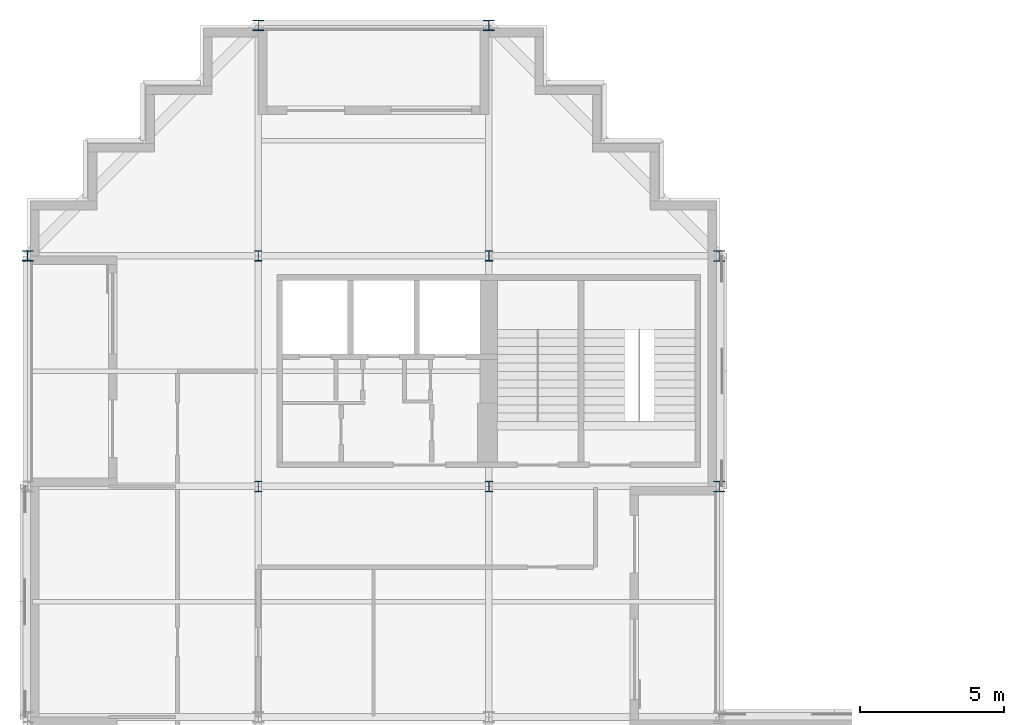
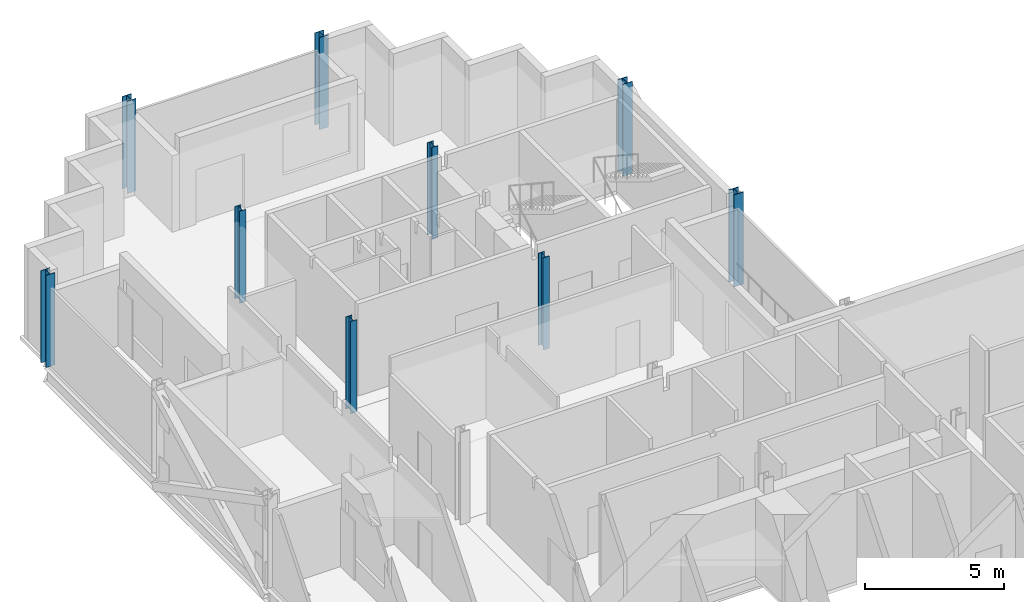
# One storey, part 2 of 10: 9 columns.
"""IFC4 building model written with IfcOpenShell, lengths in metres."""

from ifc_helpers import new_model, si_unit, direction, frame, origin, origin_2d, place, context, subcontext, project, spatial, i_section, extrude, material, material_profile, profile_set, type_object, element, save


model = new_model("IFC4")

# Units and contexts
model_context = context("Model", 3, precision=1e-05, world=origin(), true_north=direction((0.0, 1.0)))
body_context = subcontext(model_context, "Body", "Model", "MODEL_VIEW")
ifc_project = project(units=[si_unit("LENGTHUNIT", "METRE"), si_unit("AREAUNIT", "SQUARE_METRE"), si_unit("VOLUMEUNIT", "CUBIC_METRE"), si_unit("PLANEANGLEUNIT", "RADIAN"), si_unit("MASSUNIT", "GRAM", prefix="KILO")], contexts=[model_context])

# Site, building, storey
site_placement = place(None, origin())
site = spatial("IfcSite", under=ifc_project, at=site_placement, CompositionType="ELEMENT")
building_placement = place(site_placement, origin())
building = spatial("IfcBuilding", under=site, at=building_placement, Name="Immortelle Media Tower", CompositionType="ELEMENT")
storey_placement = place(building_placement, frame((0.0, 0.0, 162.0)))
storey = spatial("IfcBuildingStorey", under=building, at=storey_placement, Name="L33", CompositionType="ELEMENT", Elevation=162.0)

# Columns
ifc_material = material(Name="Steel ASTM A992 Gr 50", Category="steel")
ifc_material_profile_1 = material_profile(ifc_material, i_section(OverallWidth=0.373046875, OverallDepth=0.367919921875, WebThickness=0.014892578125, FlangeThickness=0.02392578125, at=origin_2d()), Name="W14x120")
ifc_profile_set_1 = profile_set([ifc_material_profile_1], Name="Steel ASTM A992 Gr 50")
column_type_1 = type_object("IfcColumnType", Name="W14x120 column", PredefinedType="COLUMN", material=ifc_profile_set_1)
for number, where, z_axis, x_axis, name in (
    (1, (0.0, 40.0, 0.0), (0.0, 0.0, 1.0), (1.0, 0.0, 0.0), "Column 1/F"),
    (2, (8.0, 48.0, 0.0), (0.0, 0.0, 1.0), (1.0, 0.0, 0.0), "Column 2/G"),
    (3, (16.0, 48.0, 0.0), (0.0, 0.0, 1.0), (1.0, 0.0, 0.0), "Column 3/G"),
):
    element("IfcColumn", number, at=place(storey_placement, frame(where, z_axis=z_axis, x_axis=x_axis)), inside=storey, type_object=column_type_1, Name=name, PredefinedType="COLUMN", context=body_context, shape_type="SweptSolid", body=[
        extrude(i_section(OverallWidth=0.373046875, OverallDepth=0.367919921875, WebThickness=0.014892578125, FlangeThickness=0.02392578125, at=origin_2d()), origin(), (0.0, 0.0, 1.0), 4.050048828125),
    ])
ifc_material_profile_2 = material_profile(ifc_material, i_section(OverallWidth=0.39892578125, OverallDepth=0.385986328125, WebThickness=0.02099609375, FlangeThickness=0.032958984375, at=origin_2d()), Name="W14x176")
ifc_profile_set_2 = profile_set([ifc_material_profile_2], Name="Steel ASTM A992 Gr 50")
column_type_2 = type_object("IfcColumnType", Name="W14x176 column", PredefinedType="COLUMN", material=ifc_profile_set_2)
for number, where, z_axis, x_axis, name in (
    (4, (24.0, 32.0, 0.0), (0.0, 0.0, 1.0), (1.0, 0.0, 0.0), "Column 4/E"),
    (5, (24.0, 40.0, 0.0), (0.0, 0.0, 1.0), (1.0, 0.0, 0.0), "Column 4/F"),
):
    element("IfcColumn", number, at=place(storey_placement, frame(where, z_axis=z_axis, x_axis=x_axis)), inside=storey, type_object=column_type_2, Name=name, PredefinedType="COLUMN", context=body_context, shape_type="SweptSolid", body=[
        extrude(i_section(OverallWidth=0.39892578125, OverallDepth=0.385986328125, WebThickness=0.02099609375, FlangeThickness=0.032958984375, at=origin_2d()), origin(), (0.0, 0.0, 1.0), 4.050048828125),
    ])
ifc_material_profile_3 = material_profile(ifc_material, i_section(OverallWidth=0.257080078125, OverallDepth=0.363037109375, WebThickness=0.012939453125, FlangeThickness=0.02197265625, at=origin_2d()), Name="W14x82")
ifc_profile_set_3 = profile_set([ifc_material_profile_3], Name="Steel ASTM A992 Gr 50")
column_type_3 = type_object("IfcColumnType", Name="W14x82 column", PredefinedType="COLUMN", material=ifc_profile_set_3)
for number, where, z_axis, x_axis, name in (
    (6, (8.0, 32.0, 0.0), (0.0, 0.0, 1.0), (1.0, 0.0, 0.0), "Column 2/E"),
    (7, (8.0, 40.0, 0.0), (0.0, 0.0, 1.0), (1.0, 0.0, 0.0), "Column 2/F"),
    (8, (16.0, 32.0, 0.0), (0.0, 0.0, 1.0), (1.0, 0.0, 0.0), "Column 3/E"),
    (9, (16.0, 40.0, 0.0), (0.0, 0.0, 1.0), (1.0, 0.0, 0.0), "Column 3/F"),
):
    element("IfcColumn", number, at=place(storey_placement, frame(where, z_axis=z_axis, x_axis=x_axis)), inside=storey, type_object=column_type_3, Name=name, PredefinedType="COLUMN", context=body_context, shape_type="SweptSolid", body=[
        extrude(i_section(OverallWidth=0.257080078125, OverallDepth=0.363037109375, WebThickness=0.012939453125, FlangeThickness=0.02197265625, at=origin_2d()), origin(), (0.0, 0.0, 1.0), 4.050048828125),
    ])

save(model, "model.ifc")
